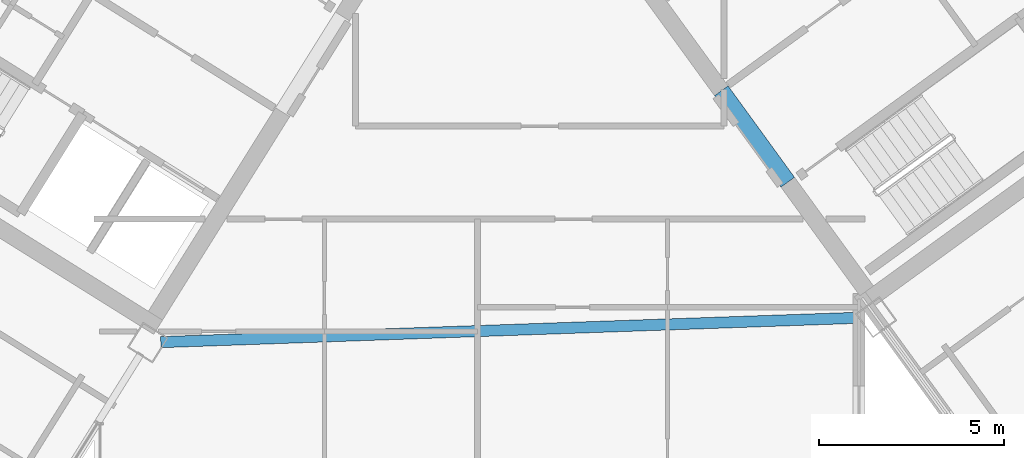
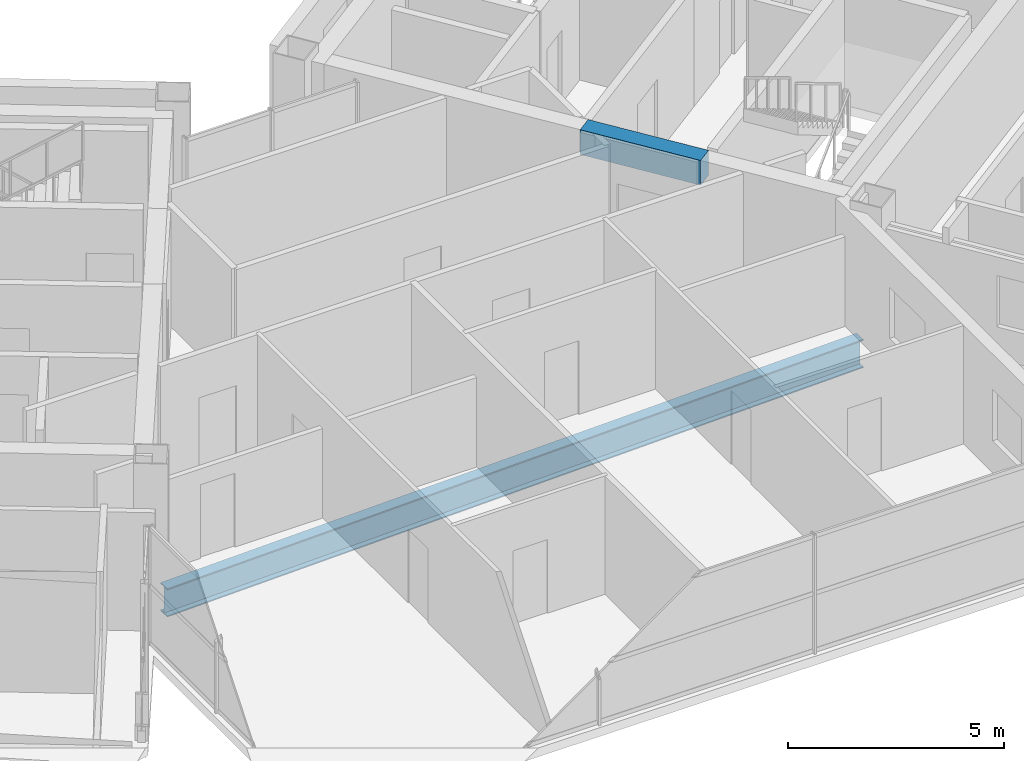
# One storey, part 9 of 29: 2 beams.
"""IFC4 building model written with IfcOpenShell, lengths in metres."""

from ifc_helpers import new_model, si_unit, direction, frame, origin, origin_2d, place, context, subcontext, project, spatial, rectangle, i_section, extrude, source, transform, mapped, material, material_profile, profile_set, type_object, element, save


model = new_model("IFC4")

# Units and contexts
model_context = context("Model", 3, precision=1e-05, world=origin(), true_north=direction((0.0, 1.0)))
body_context = subcontext(model_context, "Body", "Model", "MODEL_VIEW")
ifc_project = project(units=[si_unit("LENGTHUNIT", "METRE"), si_unit("AREAUNIT", "SQUARE_METRE"), si_unit("VOLUMEUNIT", "CUBIC_METRE"), si_unit("PLANEANGLEUNIT", "RADIAN"), si_unit("MASSUNIT", "GRAM", prefix="KILO")], contexts=[model_context])

# Site, building, storey
site_placement = place(None, origin())
site = spatial("IfcSite", under=ifc_project, at=site_placement, CompositionType="ELEMENT")
building_placement = place(site_placement, origin())
building = spatial("IfcBuilding", under=site, at=building_placement, Name="Tlacorven Tower", CompositionType="ELEMENT")
storey_placement = place(building_placement, frame((0.0, 0.0, 238.5)))
storey = spatial("IfcBuildingStorey", under=building, at=storey_placement, Name="L60", CompositionType="ELEMENT", Elevation=238.5)

# Beams
ifc_material_1 = material(Name="Concrete C60/75", Category="concrete")
ifc_material_profile_1 = material_profile(ifc_material_1, rectangle(XDim=0.449951171875, YDim=0.699951171875, at=origin_2d()), Name="RC 450X700")
ifc_profile_set_1 = profile_set([ifc_material_profile_1], Name="Concrete C60/75")
beam_type_1 = type_object("IfcBeamType", Name="BM-LNT-700", PredefinedType="LINTEL", material=ifc_profile_set_1)
shared_shape_1 = source(origin(), body_context, "Body", "SweptSolid", [
    extrude(rectangle(XDim=0.449951171875, YDim=0.699951171875, at=origin_2d()), origin(), (0.0, 0.0, 1.0), 3.050048828125),
])
beam_1_placement = place(storey_placement, frame((50.318359375, 16.416015625, 3.0), z_axis=(-0.587776590479, 0.80902328748, 0.0), x_axis=(-0.80902328748, -0.587776590479, 0.0)))
element("IfcBeam", 1, at=beam_1_placement, inside=storey, type_object=beam_type_1, Name="L60 E core coupling lintel beam E1", PredefinedType="LINTEL", context=body_context, shape_type="MappedRepresentation", body=[
    mapped(shared_shape_1, transform((0.0, 0.0, 0.0), scale=1.0)),
])
ifc_material_2 = material(Name="Steel S355J2", Category="steel")
ifc_material_profile_2 = material_profile(ifc_material_2, i_section(OverallWidth=0.300048828125, OverallDepth=0.800048828125, WebThickness=0.017578125, FlangeThickness=0.032958984375, at=origin_2d()), Name="HEB 800")
ifc_profile_set_2 = profile_set([ifc_material_profile_2], Name="Steel S355J2")
beam_type_2 = type_object("IfcBeamType", Name="BM-POD-800", PredefinedType="BEAM", material=ifc_profile_set_2)
shared_shape_2 = source(origin(), body_context, "Body", "SweptSolid", [
    extrude(i_section(OverallWidth=0.300048828125, OverallDepth=0.800048828125, WebThickness=0.017578125, FlangeThickness=0.032958984375, at=origin_2d()), origin(), (0.0, 0.0, 1.0), 18.97119140625),
])
beam_2_placement = place(storey_placement, frame((33.39599609375, 12.09912109375, -0.64990234375), z_axis=(0.999390787537, 0.034900627304, 0.0), x_axis=(-0.034900627304, 0.999390787537, 0.0)))
element("IfcBeam", 2, at=beam_2_placement, inside=storey, type_object=beam_type_2, Name="L60 Knuckle Link Girder 2", PredefinedType="BEAM", context=body_context, shape_type="MappedRepresentation", body=[
    mapped(shared_shape_2, transform((0.0, 0.0, 0.0), scale=1.0)),
])

save(model, "model.ifc")
